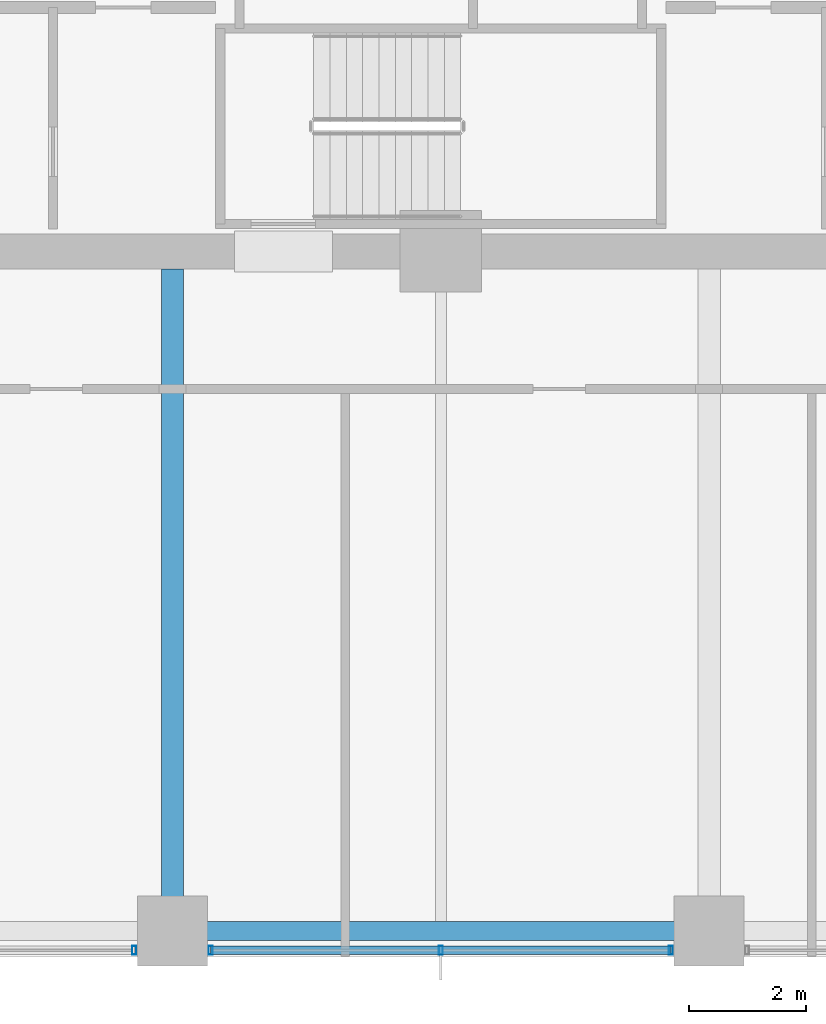
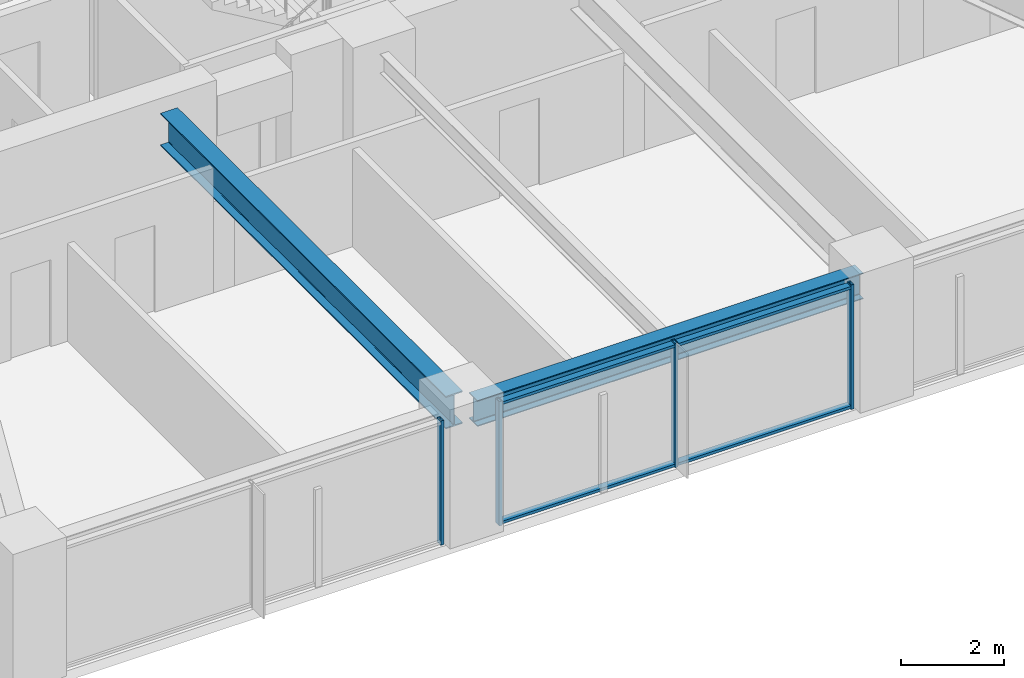
# One storey, part 5 of 38: 6 members, 2 beams, 2 elements without a shape of their own.
"""IFC4 building model written with IfcOpenShell, lengths in metres."""

from ifc_helpers import new_model, si_unit, direction, frame, origin, origin_2d, place, context, subcontext, project, spatial, hollow_rectangle, i_section, extrude, material, material_profile, profile_set, type_object, element, aggregate, save


model = new_model("IFC4")

# Units and contexts
model_context = context("Model", 3, precision=1e-05, world=origin(), true_north=direction((0.0, 1.0)))
body_context = subcontext(model_context, "Body", "Model", "MODEL_VIEW")
ifc_project = project(units=[si_unit("LENGTHUNIT", "METRE"), si_unit("AREAUNIT", "SQUARE_METRE"), si_unit("VOLUMEUNIT", "CUBIC_METRE"), si_unit("PLANEANGLEUNIT", "RADIAN"), si_unit("MASSUNIT", "GRAM", prefix="KILO")], contexts=[model_context])

# Site, building, storey
site_placement = place(None, origin())
site = spatial("IfcSite", under=ifc_project, at=site_placement, CompositionType="ELEMENT")
building_placement = place(site_placement, origin())
building = spatial("IfcBuilding", under=site, at=building_placement, Name="Kolvaren Belvedere", CompositionType="ELEMENT")
storey_placement = place(building_placement, frame((0.0, 0.0, 60.10009765625)))
storey = spatial("IfcBuildingStorey", under=building, at=storey_placement, Name="L17", CompositionType="ELEMENT", Elevation=60.10009765625)

# Beams
ifc_material_1 = material(Name="Structural steel ASTM A992 Grade 50", Category="steel")
ifc_material_profile_1 = material_profile(ifc_material_1, i_section(OverallWidth=0.381103515625, OverallDepth=0.77294921875, WebThickness=0.0166015625, FlangeThickness=0.027099609375, FilletRadius=0.02392578125, at=origin_2d()), Name="W30X173")
ifc_profile_set_1 = profile_set([ifc_material_profile_1], Name="Structural steel ASTM A992 Grade 50")
beam_type_1 = type_object("IfcBeamType", Name="BM-GIRD-W30X173", PredefinedType="BEAM", material=ifc_profile_set_1)
beam_1_placement = place(storey_placement, frame((-4.60009765625, -10.199951171875, 2.5634765625), z_axis=(0.0, -1.0, 0.0), x_axis=(1.0, 0.0, 0.0)))
element("IfcBeam", 1, at=beam_1_placement, inside=storey, type_object=beam_type_1, Name="L17 South Radial Girder M", PredefinedType="BEAM", context=body_context, shape_type="SweptSolid", body=[
    extrude(i_section(OverallWidth=0.381103515625, OverallDepth=0.77294921875, WebThickness=0.0166015625, FlangeThickness=0.027099609375, FilletRadius=0.02392578125, at=origin_2d()), origin(), (0.0, 0.0, 1.0), 11.080078125),
])
ifc_material_2 = material(Name="Structural steel ASTM A992 Grade 50", Category="steel")
ifc_material_profile_2 = material_profile(ifc_material_2, i_section(OverallWidth=0.324951171875, OverallDepth=0.615966796875, WebThickness=0.013916015625, FlangeThickness=0.021484375, FilletRadius=0.02001953125, at=origin_2d()), Name="W24X117")
ifc_profile_set_2 = profile_set([ifc_material_profile_2], Name="Structural steel ASTM A992 Grade 50")
beam_type_2 = type_object("IfcBeamType", Name="BM-SPAN-W24X117", PredefinedType="SPANDREL", material=ifc_profile_set_2)
beam_2_placement = place(storey_placement, frame((-4.330078125, -21.550048828125, 2.641845703125), z_axis=(1.0, 0.0, 0.0), x_axis=(0.0, 1.0, 0.0)))
element("IfcBeam", 2, at=beam_2_placement, inside=storey, type_object=beam_type_2, Name="L17 Perimeter Spandrel S2-S3", PredefinedType="SPANDREL", context=body_context, shape_type="SweptSolid", body=[
    extrude(i_section(OverallWidth=0.324951171875, OverallDepth=0.615966796875, WebThickness=0.013916015625, FlangeThickness=0.021484375, FilletRadius=0.02001953125, at=origin_2d()), origin(), (0.0, 0.0, 1.0), 8.66015625),
])

# Curtain wall, members
ifc_material_3 = material(Name="Anodised pale-metal aluminium AA 6063-T6", Category="aluminium")
curtain_wall_type = type_object("IfcCurtainWallType", Name="CW-Z1-LOW", PredefinedType="NOTDEFINED", material=ifc_material_3)
curtain_wall_1_placement = place(storey_placement, origin())
curtain_wall_1 = element("IfcCurtainWall", 3, at=curtain_wall_1_placement, inside=storey, type_object=curtain_wall_type, Name="L17 Unitised Curtain Wall FCW-L17-S-B2", PredefinedType="NOTDEFINED")
ifc_material_4 = material(Name="Anodised pale-metal aluminium AA 6063-T6", Category="aluminium")
ifc_material_profile_3 = material_profile(ifc_material_4, hollow_rectangle(XDim=0.070068359375, YDim=0.14990234375, WallThickness=0.004150390625, at=origin_2d()), Name="ALU-MUL-150X70")
ifc_profile_set_3 = profile_set([ifc_material_profile_3], Name="Anodised pale-metal aluminium AA 6063-T6")
member_type_1 = type_object("IfcMemberType", Name="CW-MUL-150", PredefinedType="MULLION", material=ifc_profile_set_3)
member_1_placement = place(storey_placement, frame((3.945068359375, -21.8798828125, 0.0), z_axis=(0.0, 0.0, 1.0), x_axis=(1.0, 0.0, 0.0)))
member_1 = element("IfcMember", 4, at=member_1_placement, type_object=member_type_1, Name="FCW-L17-S-B2 Unitised Mullion 1", PredefinedType="MULLION", context=body_context, shape_type="SweptSolid", body=[
    extrude(hollow_rectangle(XDim=0.070068359375, YDim=0.14990234375, WallThickness=0.004150390625, at=origin_2d()), origin(), (0.0, 0.0, 1.0), 2.949951171875),
])
member_2_placement = place(storey_placement, frame((0.0, -21.8798828125, 0.0), z_axis=(0.0, 0.0, 1.0), x_axis=(1.0, 0.0, 0.0)))
member_2 = element("IfcMember", 5, at=member_2_placement, type_object=member_type_1, Name="FCW-L17-S-B2 Unitised Mullion 2", PredefinedType="MULLION", context=body_context, shape_type="SweptSolid", body=[
    extrude(hollow_rectangle(XDim=0.070068359375, YDim=0.14990234375, WallThickness=0.004150390625, at=origin_2d()), origin(), (0.0, 0.0, 1.0), 2.949951171875),
])
member_3_placement = place(storey_placement, frame((-3.945068359375, -21.8798828125, 0.0), z_axis=(0.0, 0.0, 1.0), x_axis=(1.0, 0.0, 0.0)))
member_3 = element("IfcMember", 6, at=member_3_placement, type_object=member_type_1, Name="FCW-L17-S-B2 Unitised Mullion 3", PredefinedType="MULLION", context=body_context, shape_type="SweptSolid", body=[
    extrude(hollow_rectangle(XDim=0.070068359375, YDim=0.14990234375, WallThickness=0.004150390625, at=origin_2d()), origin(), (0.0, 0.0, 1.0), 2.949951171875),
])

# Curtain wall, member
curtain_wall_2_placement = place(storey_placement, origin())
curtain_wall_2 = element("IfcCurtainWall", 7, at=curtain_wall_2_placement, inside=storey, type_object=curtain_wall_type, Name="L17 Unitised Curtain Wall FCW-L17-S-B3", PredefinedType="NOTDEFINED")
member_4_placement = place(storey_placement, frame((-5.2548828125, -21.8798828125, 0.0), z_axis=(0.0, 0.0, 1.0), x_axis=(1.0, 0.0, 0.0)))
member_4 = element("IfcMember", 8, at=member_4_placement, type_object=member_type_1, Name="FCW-L17-S-B3 Unitised Mullion 1", PredefinedType="MULLION", context=body_context, shape_type="SweptSolid", body=[
    extrude(hollow_rectangle(XDim=0.070068359375, YDim=0.14990234375, WallThickness=0.004150390625, at=origin_2d()), origin(), (0.0, 0.0, 1.0), 2.949951171875),
])
aggregate(curtain_wall_2, [member_4])

# Member
ifc_material_5 = material(Name="Anodised pale-metal aluminium AA 6063-T6", Category="aluminium")
ifc_material_profile_4 = material_profile(ifc_material_5, hollow_rectangle(XDim=0.06494140625, YDim=0.14990234375, WallThickness=0.00390625, at=origin_2d()), Name="ALU-TRN-150X65")
ifc_profile_set_4 = profile_set([ifc_material_profile_4], Name="Anodised pale-metal aluminium AA 6063-T6")
member_type_2 = type_object("IfcMemberType", Name="CW-TRN-150", PredefinedType="USERDEFINED", material=ifc_profile_set_4)
member_5_placement = place(storey_placement, frame((3.945068359375, -21.8798828125, 0.059814453125), z_axis=(-1.0, 0.0, 0.0), x_axis=(0.0, 0.0, 1.0)))
member_5 = element("IfcMember", 9, at=member_5_placement, type_object=member_type_2, Name="FCW-L17-S-B2 Sill Transom", ObjectType="TRANSOM", PredefinedType="USERDEFINED", context=body_context, shape_type="SweptSolid", body=[
    extrude(hollow_rectangle(XDim=0.06494140625, YDim=0.14990234375, WallThickness=0.00390625, at=origin_2d()), origin(), (0.0, 0.0, 1.0), 7.89013671875),
])

member_6_placement = place(storey_placement, frame((3.945068359375, -21.8798828125, 2.889892578125), z_axis=(-1.0, 0.0, 0.0), x_axis=(0.0, 0.0, 1.0)))
member_6 = element("IfcMember", 10, at=member_6_placement, type_object=member_type_2, Name="FCW-L17-S-B2 Head Transom", ObjectType="TRANSOM", PredefinedType="USERDEFINED", context=body_context, shape_type="SweptSolid", body=[
    extrude(hollow_rectangle(XDim=0.06494140625, YDim=0.14990234375, WallThickness=0.00390625, at=origin_2d()), origin(), (0.0, 0.0, 1.0), 7.89013671875),
])

aggregate(curtain_wall_1, [member_1, member_2, member_3, member_5, member_6])

save(model, "model.ifc")
